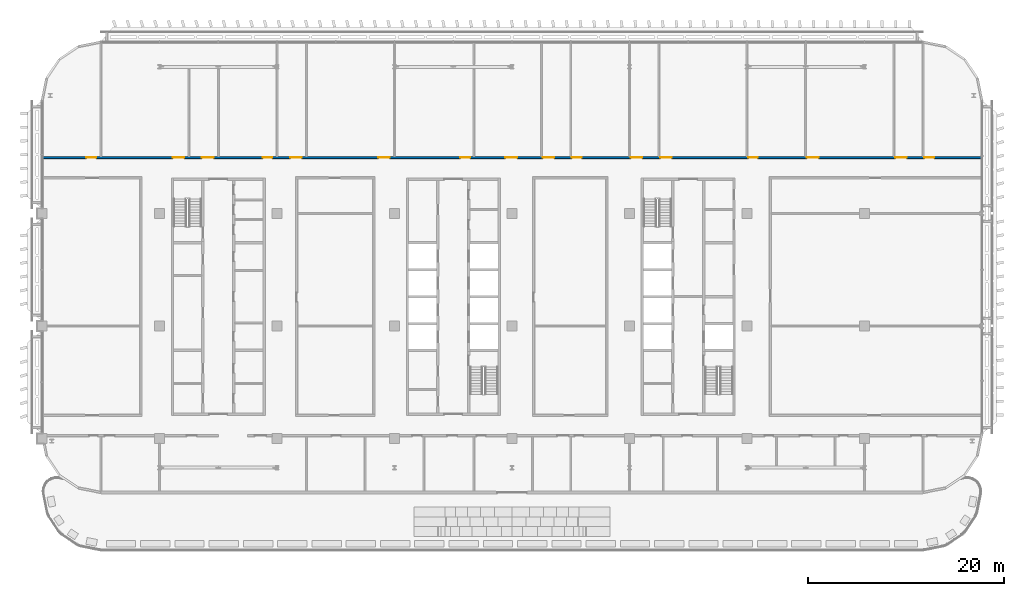
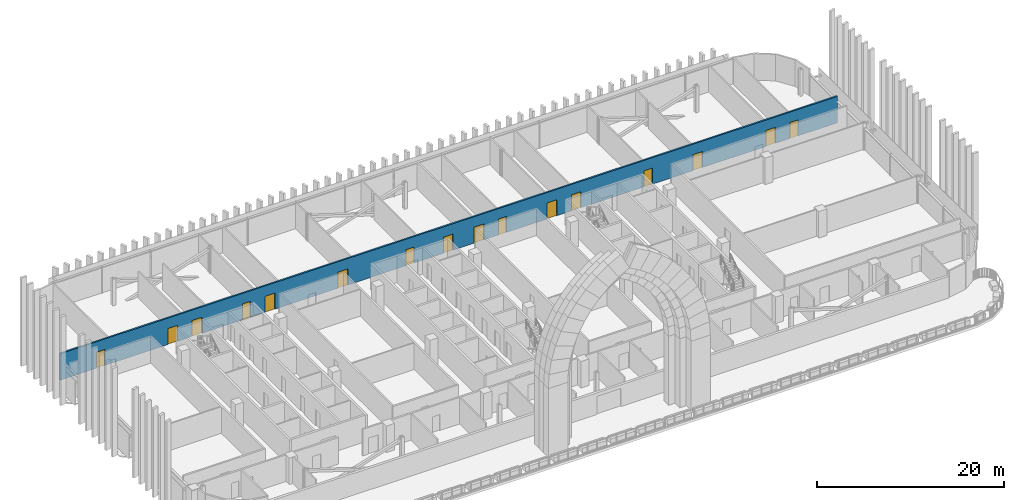
# One storey, part 14 of 30: 16 doors, 1 wall, 16 openings.
"""IFC4 building model written with IfcOpenShell, lengths in metres."""

from ifc_helpers import new_model, si_unit, direction, frame, frame_2d, origin, place, context, subcontext, project, spatial, rectangle, extrude, material, layer, layer_set, type_object, element, fill, save


model = new_model("IFC4")

# Units and contexts
model_context = context("Model", 3, precision=1e-05, world=origin(), true_north=direction((0.0, 1.0)))
body_context = subcontext(model_context, "Body", "Model", "MODEL_VIEW")
ifc_project = project(units=[si_unit("LENGTHUNIT", "METRE"), si_unit("AREAUNIT", "SQUARE_METRE"), si_unit("VOLUMEUNIT", "CUBIC_METRE"), si_unit("PLANEANGLEUNIT", "RADIAN"), si_unit("MASSUNIT", "GRAM", prefix="KILO")], contexts=[model_context])

# Site, building, storey
site_placement = place(None, origin())
site = spatial("IfcSite", under=ifc_project, at=site_placement, CompositionType="ELEMENT")
building_placement = place(site_placement, origin())
building = spatial("IfcBuilding", under=site, at=building_placement, Name="Mahtab Terrace Research Tower", CompositionType="ELEMENT")
storey_placement = place(building_placement, frame((0.0, 0.0, 228.60009765625)))
storey = spatial("IfcBuildingStorey", under=building, at=storey_placement, Name="L55", CompositionType="ELEMENT", Elevation=228.60009765625)

# Wall, openings, doors
ifc_material_1 = material(Name="Gypsum board corridor wall on steel studs", Category="steel")
ifc_layer = layer(ifc_material_1, 0.199951171875)
ifc_layer_set = layer_set([ifc_layer], Name="WALL CORRIDOR 200")
wall_type = type_object("IfcWallType", Name="WALL CORRIDOR 200", PredefinedType="PARTITIONING", material=ifc_layer_set)
wall_placement = place(storey_placement, frame((-41.97509765625, 17.199951171875, 0.0), z_axis=(0.0, 0.0, 1.0), x_axis=(1.0, 0.0, 0.0)))
wall = element("IfcWall", 1, at=wall_placement, inside=storey, type_object=wall_type, Name="L55-W026", PredefinedType="PARTITIONING", context=body_context, shape_type="SweptSolid", body=[
    extrude(rectangle(XDim=95.9501953125, YDim=0.199951171875, at=frame_2d((47.97509765625, 0.0))), origin(), (0.0, 0.0, 1.0), 3.4599609375),
])
opening_1_placement = place(wall_placement, frame((4.5, 0.0, 0.0)))
opening_1 = element("IfcOpeningElement", 2, at=opening_1_placement, cuts=wall, Name="Opening L55-128", PredefinedType="OPENING", context=body_context, shape_type="SweptSolid", body=[
    extrude(rectangle(XDim=1.0, YDim=2.10009765625, at=frame_2d((0.5, 1.050048828125))), frame((0.0, 0.10986328125, 0.0), z_axis=(0.0, -1.0, 0.0), x_axis=(1.0, 0.0, 0.0)), (0.0, 0.0, 1.0), 0.219970703125),
])
opening_2_placement = place(wall_placement, frame((13.300048828125, 0.0, 0.0)))
opening_2 = element("IfcOpeningElement", 3, at=opening_2_placement, cuts=wall, Name="Opening L55-129", PredefinedType="OPENING", context=body_context, shape_type="SweptSolid", body=[
    extrude(rectangle(XDim=1.199951171875, YDim=2.10009765625, at=frame_2d((0.60009765625, 1.050048828125))), frame((0.0, 0.10986328125, 0.0), z_axis=(0.0, -1.0, 0.0), x_axis=(1.0, 0.0, 0.0)), (0.0, 0.0, 1.0), 0.219970703125),
])
opening_3_placement = place(wall_placement, frame((16.300048828125, 0.0, 0.0)))
opening_3 = element("IfcOpeningElement", 4, at=opening_3_placement, cuts=wall, Name="Opening L55-130", PredefinedType="OPENING", context=body_context, shape_type="SweptSolid", body=[
    extrude(rectangle(XDim=1.199951171875, YDim=2.10009765625, at=frame_2d((0.60009765625, 1.050048828125))), frame((0.0, 0.10986328125, 0.0), z_axis=(0.0, -1.0, 0.0), x_axis=(1.0, 0.0, 0.0)), (0.0, 0.0, 1.0), 0.219970703125),
])
opening_4_placement = place(wall_placement, frame((22.5, 0.0, 0.0)))
opening_4 = element("IfcOpeningElement", 5, at=opening_4_placement, cuts=wall, Name="Opening L55-131", PredefinedType="OPENING", context=body_context, shape_type="SweptSolid", body=[
    extrude(rectangle(XDim=1.0, YDim=2.10009765625, at=frame_2d((0.5, 1.050048828125))), frame((0.0, 0.10986328125, 0.0), z_axis=(0.0, -1.0, 0.0), x_axis=(1.0, 0.0, 0.0)), (0.0, 0.0, 1.0), 0.219970703125),
])
opening_5_placement = place(wall_placement, frame((25.300048828125, 0.0, 0.0)))
opening_5 = element("IfcOpeningElement", 6, at=opening_5_placement, cuts=wall, Name="Opening L55-132", PredefinedType="OPENING", context=body_context, shape_type="SweptSolid", body=[
    extrude(rectangle(XDim=1.199951171875, YDim=2.10009765625, at=frame_2d((0.60009765625, 1.050048828125))), frame((0.0, 0.10986328125, 0.0), z_axis=(0.0, -1.0, 0.0), x_axis=(1.0, 0.0, 0.0)), (0.0, 0.0, 1.0), 0.219970703125),
])
opening_6_placement = place(wall_placement, frame((34.300048828125, 0.0, 0.0)))
opening_6 = element("IfcOpeningElement", 7, at=opening_6_placement, cuts=wall, Name="Opening L55-133", PredefinedType="OPENING", context=body_context, shape_type="SweptSolid", body=[
    extrude(rectangle(XDim=1.199951171875, YDim=2.10009765625, at=frame_2d((0.60009765625, 1.050048828125))), frame((0.0, 0.10986328125, 0.0), z_axis=(0.0, -1.0, 0.0), x_axis=(1.0, 0.0, 0.0)), (0.0, 0.0, 1.0), 0.219970703125),
])
opening_7_placement = place(wall_placement, frame((42.699951171875, 0.0, 0.0)))
opening_7 = element("IfcOpeningElement", 8, at=opening_7_placement, cuts=wall, Name="Opening L55-134", PredefinedType="OPENING", context=body_context, shape_type="SweptSolid", body=[
    extrude(rectangle(XDim=1.0, YDim=2.10009765625, at=frame_2d((0.5, 1.050048828125))), frame((0.0, 0.10986328125, 0.0), z_axis=(0.0, -1.0, 0.0), x_axis=(1.0, 0.0, 0.0)), (0.0, 0.0, 1.0), 0.219970703125),
])
opening_8_placement = place(wall_placement, frame((47.300048828125, 0.0, 0.0)))
opening_8 = element("IfcOpeningElement", 9, at=opening_8_placement, cuts=wall, Name="Opening L55-135", PredefinedType="OPENING", context=body_context, shape_type="SweptSolid", body=[
    extrude(rectangle(XDim=1.199951171875, YDim=2.10009765625, at=frame_2d((0.60009765625, 1.050048828125))), frame((0.0, 0.10986328125, 0.0), z_axis=(0.0, -1.0, 0.0), x_axis=(1.0, 0.0, 0.0)), (0.0, 0.0, 1.0), 0.219970703125),
])
opening_9_placement = place(wall_placement, frame((51.10009765625, 0.0, 0.0)))
opening_9 = element("IfcOpeningElement", 10, at=opening_9_placement, cuts=wall, Name="Opening L55-136", PredefinedType="OPENING", context=body_context, shape_type="SweptSolid", body=[
    extrude(rectangle(XDim=1.199951171875, YDim=2.10009765625, at=frame_2d((0.60009765625, 1.050048828125))), frame((0.0, 0.10986328125, 0.0), z_axis=(0.0, -1.0, 0.0), x_axis=(1.0, 0.0, 0.0)), (0.0, 0.0, 1.0), 0.219970703125),
])
opening_10_placement = place(wall_placement, frame((54.10009765625, 0.0, 0.0)))
opening_10 = element("IfcOpeningElement", 11, at=opening_10_placement, cuts=wall, Name="Opening L55-137", PredefinedType="OPENING", context=body_context, shape_type="SweptSolid", body=[
    extrude(rectangle(XDim=1.0, YDim=2.10009765625, at=frame_2d((0.5, 1.050048828125))), frame((0.0, 0.10986328125, 0.0), z_axis=(0.0, -1.0, 0.0), x_axis=(1.0, 0.0, 0.0)), (0.0, 0.0, 1.0), 0.219970703125),
])
opening_11_placement = place(wall_placement, frame((60.10009765625, 0.0, 0.0)))
opening_11 = element("IfcOpeningElement", 12, at=opening_11_placement, cuts=wall, Name="Opening L55-138", PredefinedType="OPENING", context=body_context, shape_type="SweptSolid", body=[
    extrude(rectangle(XDim=1.199951171875, YDim=2.10009765625, at=frame_2d((0.60009765625, 1.050048828125))), frame((0.0, 0.10986328125, 0.0), z_axis=(0.0, -1.0, 0.0), x_axis=(1.0, 0.0, 0.0)), (0.0, 0.0, 1.0), 0.219970703125),
])
opening_12_placement = place(wall_placement, frame((63.10009765625, 0.0, 0.0)))
opening_12 = element("IfcOpeningElement", 13, at=opening_12_placement, cuts=wall, Name="Opening L55-139", PredefinedType="OPENING", context=body_context, shape_type="SweptSolid", body=[
    extrude(rectangle(XDim=1.199951171875, YDim=2.10009765625, at=frame_2d((0.60009765625, 1.050048828125))), frame((0.0, 0.10986328125, 0.0), z_axis=(0.0, -1.0, 0.0), x_axis=(1.0, 0.0, 0.0)), (0.0, 0.0, 1.0), 0.219970703125),
])
opening_13_placement = place(wall_placement, frame((72.10009765625, 0.0, 0.0)))
opening_13 = element("IfcOpeningElement", 14, at=opening_13_placement, cuts=wall, Name="Opening L55-140", PredefinedType="OPENING", context=body_context, shape_type="SweptSolid", body=[
    extrude(rectangle(XDim=1.0, YDim=2.10009765625, at=frame_2d((0.5, 1.050048828125))), frame((0.0, 0.10986328125, 0.0), z_axis=(0.0, -1.0, 0.0), x_axis=(1.0, 0.0, 0.0)), (0.0, 0.0, 1.0), 0.219970703125),
])
opening_14_placement = place(wall_placement, frame((78.10009765625, 0.0, 0.0)))
opening_14 = element("IfcOpeningElement", 15, at=opening_14_placement, cuts=wall, Name="Opening L55-141", PredefinedType="OPENING", context=body_context, shape_type="SweptSolid", body=[
    extrude(rectangle(XDim=1.199951171875, YDim=2.10009765625, at=frame_2d((0.60009765625, 1.050048828125))), frame((0.0, 0.10986328125, 0.0), z_axis=(0.0, -1.0, 0.0), x_axis=(1.0, 0.0, 0.0)), (0.0, 0.0, 1.0), 0.219970703125),
])
opening_15_placement = place(wall_placement, frame((87.10009765625, 0.0, 0.0)))
opening_15 = element("IfcOpeningElement", 16, at=opening_15_placement, cuts=wall, Name="Opening L55-142", PredefinedType="OPENING", context=body_context, shape_type="SweptSolid", body=[
    extrude(rectangle(XDim=1.199951171875, YDim=2.10009765625, at=frame_2d((0.60009765625, 1.050048828125))), frame((0.0, 0.10986328125, 0.0), z_axis=(0.0, -1.0, 0.0), x_axis=(1.0, 0.0, 0.0)), (0.0, 0.0, 1.0), 0.219970703125),
])
opening_16_placement = place(wall_placement, frame((90.10009765625, 0.0, 0.0)))
opening_16 = element("IfcOpeningElement", 17, at=opening_16_placement, cuts=wall, Name="Opening L55-143", PredefinedType="OPENING", context=body_context, shape_type="SweptSolid", body=[
    extrude(rectangle(XDim=1.0, YDim=2.10009765625, at=frame_2d((0.5, 1.050048828125))), frame((0.0, 0.10986328125, 0.0), z_axis=(0.0, -1.0, 0.0), x_axis=(1.0, 0.0, 0.0)), (0.0, 0.0, 1.0), 0.219970703125),
])
ifc_material_2 = material(Name="Timber door leaf in steel frame", Category="steel")
door_type_1 = type_object("IfcDoorType", Name="DOOR 1000X2100 FD30S", OperationType="SINGLE_SWING_LEFT", PredefinedType="DOOR", material=ifc_material_2)
door_1_placement = place(opening_1_placement, origin())
door_1 = element("IfcDoor", 18, at=door_1_placement, inside=storey, type_object=door_type_1, Name="Door L55-128", OperationType="SINGLE_SWING_LEFT", OverallHeight=2.10009765625, OverallWidth=1.0, PredefinedType="DOOR", context=body_context, shape_type="SweptSolid", body=[
    extrude(rectangle(XDim=1.0, YDim=2.10009765625, at=frame_2d((0.5, 1.050048828125))), frame((0.0, 0.02490234375, 0.0), z_axis=(0.0, -1.0, 0.0), x_axis=(1.0, 0.0, 0.0)), (0.0, 0.0, 1.0), 0.050048828125),
])
fill(opening_1, door_1)
door_2_placement = place(opening_4_placement, origin())
door_2 = element("IfcDoor", 19, at=door_2_placement, inside=storey, type_object=door_type_1, Name="Door L55-131", OperationType="SINGLE_SWING_LEFT", OverallHeight=2.10009765625, OverallWidth=1.0, PredefinedType="DOOR", context=body_context, shape_type="SweptSolid", body=[
    extrude(rectangle(XDim=1.0, YDim=2.10009765625, at=frame_2d((0.5, 1.050048828125))), frame((0.0, 0.02490234375, 0.0), z_axis=(0.0, -1.0, 0.0), x_axis=(1.0, 0.0, 0.0)), (0.0, 0.0, 1.0), 0.050048828125),
])
fill(opening_4, door_2)
door_3_placement = place(opening_7_placement, origin())
door_3 = element("IfcDoor", 20, at=door_3_placement, inside=storey, type_object=door_type_1, Name="Door L55-134", OperationType="SINGLE_SWING_LEFT", OverallHeight=2.10009765625, OverallWidth=1.0, PredefinedType="DOOR", context=body_context, shape_type="SweptSolid", body=[
    extrude(rectangle(XDim=1.0, YDim=2.10009765625, at=frame_2d((0.5, 1.050048828125))), frame((0.0, 0.02490234375, 0.0), z_axis=(0.0, -1.0, 0.0), x_axis=(1.0, 0.0, 0.0)), (0.0, 0.0, 1.0), 0.050048828125),
])
fill(opening_7, door_3)
door_4_placement = place(opening_10_placement, origin())
door_4 = element("IfcDoor", 21, at=door_4_placement, inside=storey, type_object=door_type_1, Name="Door L55-137", OperationType="SINGLE_SWING_RIGHT", OverallHeight=2.10009765625, OverallWidth=1.0, PredefinedType="DOOR", context=body_context, shape_type="SweptSolid", body=[
    extrude(rectangle(XDim=1.0, YDim=2.10009765625, at=frame_2d((0.5, 1.050048828125))), frame((0.0, 0.02490234375, 0.0), z_axis=(0.0, -1.0, 0.0), x_axis=(1.0, 0.0, 0.0)), (0.0, 0.0, 1.0), 0.050048828125),
])
fill(opening_10, door_4)
door_5_placement = place(opening_13_placement, origin())
door_5 = element("IfcDoor", 22, at=door_5_placement, inside=storey, type_object=door_type_1, Name="Door L55-140", OperationType="SINGLE_SWING_RIGHT", OverallHeight=2.10009765625, OverallWidth=1.0, PredefinedType="DOOR", context=body_context, shape_type="SweptSolid", body=[
    extrude(rectangle(XDim=1.0, YDim=2.10009765625, at=frame_2d((0.5, 1.050048828125))), frame((0.0, 0.02490234375, 0.0), z_axis=(0.0, -1.0, 0.0), x_axis=(1.0, 0.0, 0.0)), (0.0, 0.0, 1.0), 0.050048828125),
])
fill(opening_13, door_5)
door_6_placement = place(opening_16_placement, origin())
door_6 = element("IfcDoor", 23, at=door_6_placement, inside=storey, type_object=door_type_1, Name="Door L55-143", OperationType="SINGLE_SWING_RIGHT", OverallHeight=2.10009765625, OverallWidth=1.0, PredefinedType="DOOR", context=body_context, shape_type="SweptSolid", body=[
    extrude(rectangle(XDim=1.0, YDim=2.10009765625, at=frame_2d((0.5, 1.050048828125))), frame((0.0, 0.02490234375, 0.0), z_axis=(0.0, -1.0, 0.0), x_axis=(1.0, 0.0, 0.0)), (0.0, 0.0, 1.0), 0.050048828125),
])
fill(opening_16, door_6)
door_type_2 = type_object("IfcDoorType", Name="DOOR 1200X2100 FD30S", OperationType="SINGLE_SWING_LEFT", PredefinedType="DOOR", material=ifc_material_2)
door_7_placement = place(opening_2_placement, origin())
door_7 = element("IfcDoor", 24, at=door_7_placement, inside=storey, type_object=door_type_2, Name="Door L55-129", OperationType="SINGLE_SWING_LEFT", OverallHeight=2.10009765625, OverallWidth=1.199951171875, PredefinedType="DOOR", context=body_context, shape_type="SweptSolid", body=[
    extrude(rectangle(XDim=1.199951171875, YDim=2.10009765625, at=frame_2d((0.60009765625, 1.050048828125))), frame((0.0, 0.02490234375, 0.0), z_axis=(0.0, -1.0, 0.0), x_axis=(1.0, 0.0, 0.0)), (0.0, 0.0, 1.0), 0.050048828125),
])
fill(opening_2, door_7)
door_8_placement = place(opening_3_placement, origin())
door_8 = element("IfcDoor", 25, at=door_8_placement, inside=storey, type_object=door_type_2, Name="Door L55-130", OperationType="SINGLE_SWING_LEFT", OverallHeight=2.10009765625, OverallWidth=1.199951171875, PredefinedType="DOOR", context=body_context, shape_type="SweptSolid", body=[
    extrude(rectangle(XDim=1.199951171875, YDim=2.10009765625, at=frame_2d((0.60009765625, 1.050048828125))), frame((0.0, 0.02490234375, 0.0), z_axis=(0.0, -1.0, 0.0), x_axis=(1.0, 0.0, 0.0)), (0.0, 0.0, 1.0), 0.050048828125),
])
fill(opening_3, door_8)
door_9_placement = place(opening_5_placement, origin())
door_9 = element("IfcDoor", 26, at=door_9_placement, inside=storey, type_object=door_type_2, Name="Door L55-132", OperationType="SINGLE_SWING_LEFT", OverallHeight=2.10009765625, OverallWidth=1.199951171875, PredefinedType="DOOR", context=body_context, shape_type="SweptSolid", body=[
    extrude(rectangle(XDim=1.199951171875, YDim=2.10009765625, at=frame_2d((0.60009765625, 1.050048828125))), frame((0.0, 0.02490234375, 0.0), z_axis=(0.0, -1.0, 0.0), x_axis=(1.0, 0.0, 0.0)), (0.0, 0.0, 1.0), 0.050048828125),
])
fill(opening_5, door_9)
door_10_placement = place(opening_6_placement, origin())
door_10 = element("IfcDoor", 27, at=door_10_placement, inside=storey, type_object=door_type_2, Name="Door L55-133", OperationType="SINGLE_SWING_LEFT", OverallHeight=2.10009765625, OverallWidth=1.199951171875, PredefinedType="DOOR", context=body_context, shape_type="SweptSolid", body=[
    extrude(rectangle(XDim=1.199951171875, YDim=2.10009765625, at=frame_2d((0.60009765625, 1.050048828125))), frame((0.0, 0.02490234375, 0.0), z_axis=(0.0, -1.0, 0.0), x_axis=(1.0, 0.0, 0.0)), (0.0, 0.0, 1.0), 0.050048828125),
])
fill(opening_6, door_10)
door_11_placement = place(opening_8_placement, origin())
door_11 = element("IfcDoor", 28, at=door_11_placement, inside=storey, type_object=door_type_2, Name="Door L55-135", OperationType="SINGLE_SWING_RIGHT", OverallHeight=2.10009765625, OverallWidth=1.199951171875, PredefinedType="DOOR", context=body_context, shape_type="SweptSolid", body=[
    extrude(rectangle(XDim=1.199951171875, YDim=2.10009765625, at=frame_2d((0.60009765625, 1.050048828125))), frame((0.0, 0.02490234375, 0.0), z_axis=(0.0, -1.0, 0.0), x_axis=(1.0, 0.0, 0.0)), (0.0, 0.0, 1.0), 0.050048828125),
])
fill(opening_8, door_11)
door_12_placement = place(opening_9_placement, origin())
door_12 = element("IfcDoor", 29, at=door_12_placement, inside=storey, type_object=door_type_2, Name="Door L55-136", OperationType="SINGLE_SWING_RIGHT", OverallHeight=2.10009765625, OverallWidth=1.199951171875, PredefinedType="DOOR", context=body_context, shape_type="SweptSolid", body=[
    extrude(rectangle(XDim=1.199951171875, YDim=2.10009765625, at=frame_2d((0.60009765625, 1.050048828125))), frame((0.0, 0.02490234375, 0.0), z_axis=(0.0, -1.0, 0.0), x_axis=(1.0, 0.0, 0.0)), (0.0, 0.0, 1.0), 0.050048828125),
])
fill(opening_9, door_12)
door_13_placement = place(opening_11_placement, origin())
door_13 = element("IfcDoor", 30, at=door_13_placement, inside=storey, type_object=door_type_2, Name="Door L55-138", OperationType="SINGLE_SWING_RIGHT", OverallHeight=2.10009765625, OverallWidth=1.199951171875, PredefinedType="DOOR", context=body_context, shape_type="SweptSolid", body=[
    extrude(rectangle(XDim=1.199951171875, YDim=2.10009765625, at=frame_2d((0.60009765625, 1.050048828125))), frame((0.0, 0.02490234375, 0.0), z_axis=(0.0, -1.0, 0.0), x_axis=(1.0, 0.0, 0.0)), (0.0, 0.0, 1.0), 0.050048828125),
])
fill(opening_11, door_13)
door_14_placement = place(opening_12_placement, origin())
door_14 = element("IfcDoor", 31, at=door_14_placement, inside=storey, type_object=door_type_2, Name="Door L55-139", OperationType="SINGLE_SWING_RIGHT", OverallHeight=2.10009765625, OverallWidth=1.199951171875, PredefinedType="DOOR", context=body_context, shape_type="SweptSolid", body=[
    extrude(rectangle(XDim=1.199951171875, YDim=2.10009765625, at=frame_2d((0.60009765625, 1.050048828125))), frame((0.0, 0.02490234375, 0.0), z_axis=(0.0, -1.0, 0.0), x_axis=(1.0, 0.0, 0.0)), (0.0, 0.0, 1.0), 0.050048828125),
])
fill(opening_12, door_14)
door_15_placement = place(opening_14_placement, origin())
door_15 = element("IfcDoor", 32, at=door_15_placement, inside=storey, type_object=door_type_2, Name="Door L55-141", OperationType="SINGLE_SWING_RIGHT", OverallHeight=2.10009765625, OverallWidth=1.199951171875, PredefinedType="DOOR", context=body_context, shape_type="SweptSolid", body=[
    extrude(rectangle(XDim=1.199951171875, YDim=2.10009765625, at=frame_2d((0.60009765625, 1.050048828125))), frame((0.0, 0.02490234375, 0.0), z_axis=(0.0, -1.0, 0.0), x_axis=(1.0, 0.0, 0.0)), (0.0, 0.0, 1.0), 0.050048828125),
])
fill(opening_14, door_15)
door_16_placement = place(opening_15_placement, origin())
door_16 = element("IfcDoor", 33, at=door_16_placement, inside=storey, type_object=door_type_2, Name="Door L55-142", OperationType="SINGLE_SWING_RIGHT", OverallHeight=2.10009765625, OverallWidth=1.199951171875, PredefinedType="DOOR", context=body_context, shape_type="SweptSolid", body=[
    extrude(rectangle(XDim=1.199951171875, YDim=2.10009765625, at=frame_2d((0.60009765625, 1.050048828125))), frame((0.0, 0.02490234375, 0.0), z_axis=(0.0, -1.0, 0.0), x_axis=(1.0, 0.0, 0.0)), (0.0, 0.0, 1.0), 0.050048828125),
])
fill(opening_15, door_16)

save(model, "model.ifc")
